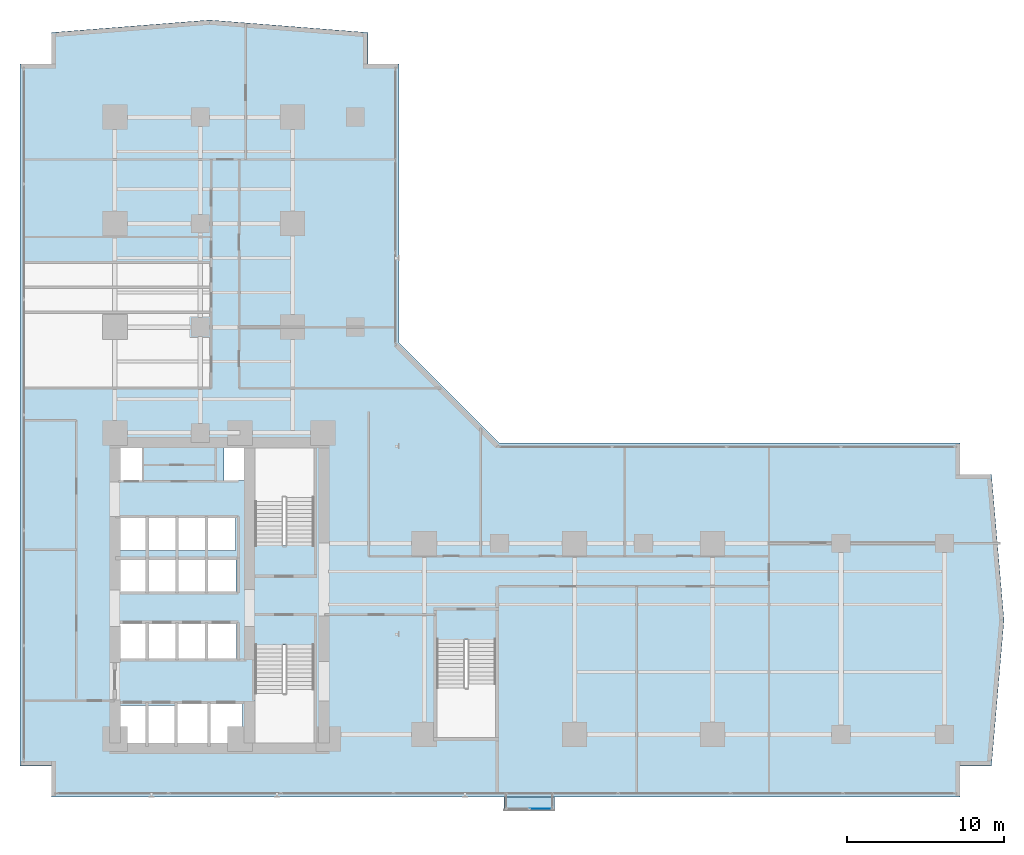
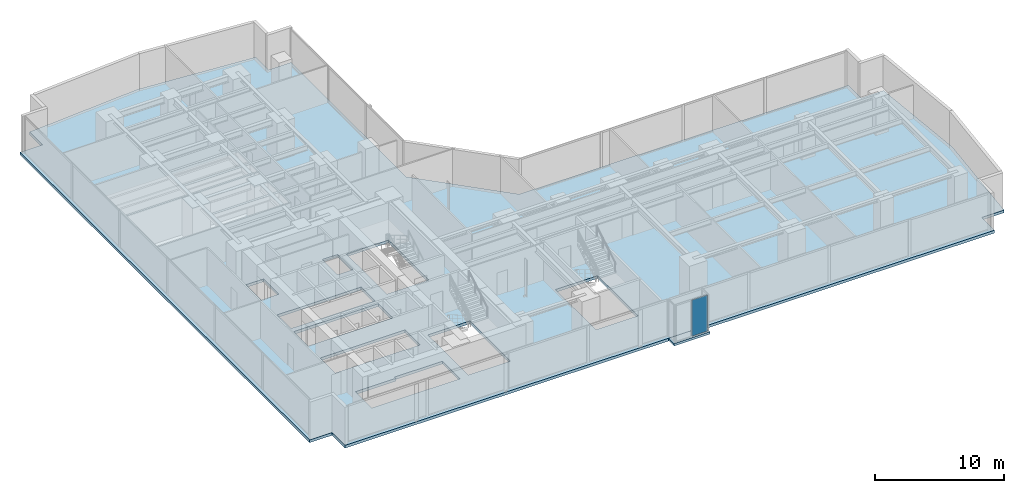
# One storey, part 21 of 30: 2 slabs, 1 plate, 1 element without a shape of its own.
"""IFC4 building model written with IfcOpenShell, lengths in metres."""

from ifc_helpers import new_model, si_unit, direction, frame, origin, origin_with_axes, origin_2d, place, context, subcontext, project, spatial, polyline, rectangle, outline, extrude, source, transform, mapped, material, layer, layer_set, type_object, element, aggregate, save


model = new_model("IFC4")

# Units and contexts
model_context = context("Model", 3, precision=1e-05, world=origin(), true_north=direction((0.0, 1.0)))
body_context = subcontext(model_context, "Body", "Model", "MODEL_VIEW")
ifc_project = project(units=[si_unit("LENGTHUNIT", "METRE"), si_unit("AREAUNIT", "SQUARE_METRE"), si_unit("VOLUMEUNIT", "CUBIC_METRE"), si_unit("PLANEANGLEUNIT", "RADIAN"), si_unit("MASSUNIT", "GRAM", prefix="KILO")], contexts=[model_context])

# Site, building, storey
site_placement = place(None, origin())
site = spatial("IfcSite", under=ifc_project, at=site_placement, CompositionType="ELEMENT")
building_placement = place(site_placement, origin())
building = spatial("IfcBuilding", under=site, at=building_placement, Name="Kolvaren Waterfront Exchange", CompositionType="ELEMENT")
storey_placement = place(building_placement, frame((0.0, 0.0, 52.39990234375)))
storey = spatial("IfcBuildingStorey", under=building, at=storey_placement, Name="L13", CompositionType="ELEMENT", Elevation=52.39990234375)

# Slabs
ifc_material_1 = material(Name="Concrete C40/50", Category="concrete")
ifc_layer_1 = layer(ifc_material_1, 0.260009765625, Name="Concrete C40/50")
ifc_layer_set_1 = layer_set([ifc_layer_1], Name="Concrete C40/50")
slab_type_1 = type_object("IfcSlabType", Name="STR-SLAB-260", PredefinedType="FLOOR", material=ifc_layer_set_1)
slab_1_placement = place(storey_placement, frame((0.0, 0.0, -0.260009765625)))
element("IfcSlab", 1, at=slab_1_placement, inside=storey, type_object=slab_type_1, Name="L13 structural floor slab", PredefinedType="FLOOR", context=body_context, shape_type="SweptSolid", body=[
    extrude(outline(polyline([(3.39990234375, 1.199951171875), (61.39990234375, 1.199951171875), (61.39990234375, 3.199951171875), (63.39990234375, 3.199951171875), (64.199951171875, 12.5), (63.39990234375, 21.800048828125), (61.39990234375, 21.800048828125), (61.39990234375, 23.800048828125), (32.0, 23.800048828125), (25.60009765625, 30.199951171875), (25.60009765625, 48.0), (23.60009765625, 48.0), (23.60009765625, 50.0), (13.5, 50.800048828125), (3.39990234375, 50.0), (3.39990234375, 48.0), (1.39990234375, 48.0), (1.39990234375, 3.199951171875), (3.39990234375, 3.199951171875), (3.39990234375, 1.199951171875)]), holes=[polyline([(11.320068359375, 7.260009765625), (15.610107421875, 7.260009765625), (15.610107421875, 4.5400390625), (7.719970703125, 4.5400390625), (7.719970703125, 7.06005859375), (11.320068359375, 7.06005859375), (11.320068359375, 7.260009765625)]), polyline([(20.159912109375, 4.64990234375), (16.39990234375, 4.64990234375), (16.39990234375, 10.89990234375), (20.159912109375, 10.89990234375), (20.159912109375, 4.64990234375)]), polyline([(31.760009765625, 5.0), (28.0, 5.0), (28.0, 11.25), (31.760009765625, 11.25), (31.760009765625, 5.0)]), polyline([(15.2099609375, 10.0400390625), (7.6201171875, 10.0400390625), (7.6201171875, 12.360107421875), (15.2099609375, 12.360107421875), (15.2099609375, 10.0400390625)]), polyline([(7.64501953125, 16.4599609375), (15.18505859375, 16.4599609375), (15.18505859375, 14.239990234375), (7.64501953125, 14.239990234375), (7.64501953125, 16.4599609375)]), polyline([(15.159912109375, 16.93994140625), (7.669921875, 16.93994140625), (7.669921875, 19.06005859375), (15.159912109375, 19.06005859375), (15.159912109375, 16.93994140625)]), polyline([(16.39990234375, 23.5), (20.159912109375, 23.5), (20.159912109375, 17.25), (16.39990234375, 17.25), (16.39990234375, 23.5)]), polyline([(7.60009765625, 23.780029296875), (9.179931640625, 23.780029296875), (9.179931640625, 21.419921875), (7.60009765625, 21.419921875), (7.60009765625, 23.780029296875)]), polyline([(15.800048828125, 23.780029296875), (15.800048828125, 21.419921875), (14.419921875, 21.419921875), (14.419921875, 23.780029296875), (15.800048828125, 23.780029296875)])]), origin(), (0.0, 0.0, 1.0), 0.260009765625),
])
ifc_layer_2 = layer(ifc_material_1, 0.219970703125, Name="Concrete C40/50")
ifc_layer_set_2 = layer_set([ifc_layer_2], Name="Concrete C40/50")
slab_type_2 = type_object("IfcSlabType", Name="STR-TERR-220", PredefinedType="FLOOR", material=ifc_layer_set_2)
slab_2_placement = place(storey_placement, frame((0.0, 0.0, -0.219970703125)))
element("IfcSlab", 2, at=slab_2_placement, inside=storey, type_object=slab_type_2, Name="L13 projecting bay-box floor strip", PredefinedType="FLOOR", context=body_context, shape_type="SweptSolid", body=[
    extrude(outline(polyline([(32.300048828125, 0.35009765625), (35.5, 0.35009765625), (35.5, 1.199951171875), (32.300048828125, 1.199951171875), (32.300048828125, 0.35009765625)])), origin(), (0.0, 0.0, 1.0), 0.219970703125),
])

# Curtain wall, plate
ifc_material_2 = material(Name="Anodised bronze aluminium 6063-T6", Category="aluminium")
ifc_layer_3 = layer(ifc_material_2, 0.219970703125, Name="Anodised bronze aluminium 6063-T6")
ifc_layer_set_3 = layer_set([ifc_layer_3], Name="Anodised bronze aluminium 6063-T6")
curtain_wall_type = type_object("IfcCurtainWallType", Name="ARC-CW-SYS3", PredefinedType="USERDEFINED", material=ifc_layer_set_3)
curtain_wall_placement = place(storey_placement, origin())
curtain_wall = element("IfcCurtainWall", 3, at=curtain_wall_placement, inside=storey, type_object=curtain_wall_type, Name="L13 stick curtain wall CW3 (CW-L13-BOX)", ObjectType="STICK CURTAIN WALL", PredefinedType="USERDEFINED")
ifc_material_3 = material(Name="Bronze tinted bay-box vision glass", Category="aluminium")
ifc_layer_4 = layer(ifc_material_3, 0.02392578125, Name="Bronze tinted bay-box vision glass")
ifc_layer_set_4 = layer_set([ifc_layer_4], Name="Bronze tinted bay-box vision glass")
plate_type = type_object("IfcPlateType", Name="ARC-CWP-24", PredefinedType="CURTAIN_PANEL", material=ifc_layer_set_4)
shared_shape = source(origin_with_axes(), body_context, "Body", "SweptSolid", [
    extrude(rectangle(XDim=1.37744140625, YDim=0.02392578125, at=origin_2d()), origin(), (0.0, 0.0, 1.0), 3.409912109375),
])
plate_placement = place(storey_placement, frame((34.626220703125, 0.4599609375, 0.06494140625), z_axis=(0.0, 0.0, 1.0), x_axis=(1.0, 0.0, 0.0)))
plate = element("IfcPlate", 4, at=plate_placement, type_object=plate_type, Name="CW3 panel 2.1", PredefinedType="CURTAIN_PANEL", context=body_context, shape_type="MappedRepresentation", body=[
    mapped(shared_shape, transform((0.0, 0.0, 0.0), x_axis=(1.0, 0.0, 0.0), y_axis=(0.0, 1.0, 0.0), z_axis=(0.0, 0.0, 1.0), scale=1.0)),
])
aggregate(curtain_wall, [plate])

save(model, "model.ifc")
